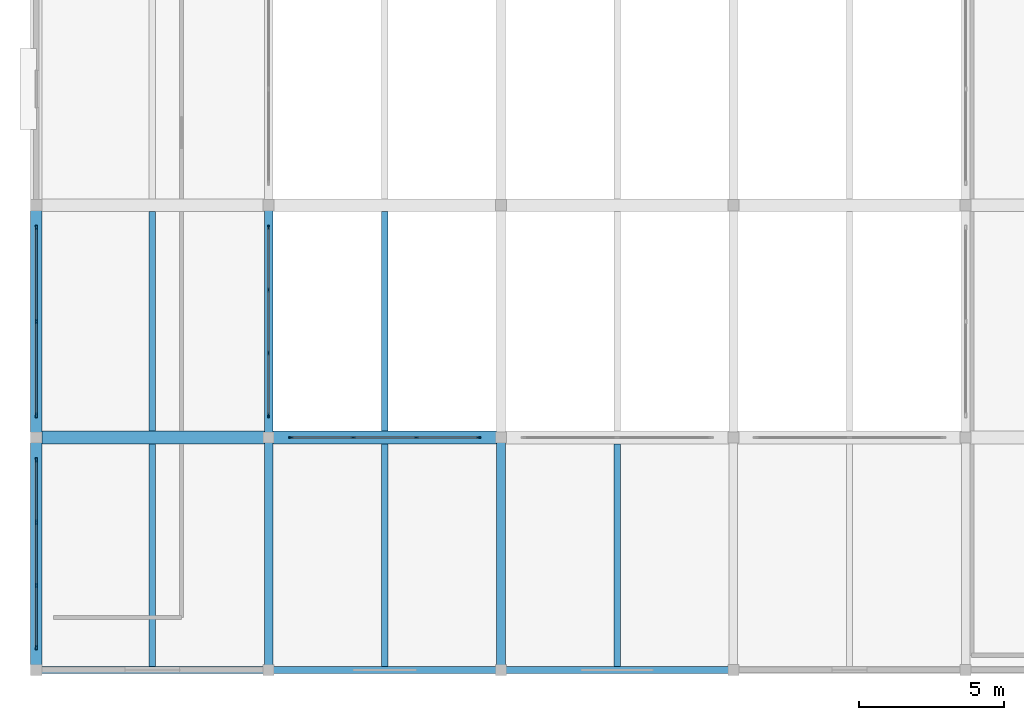
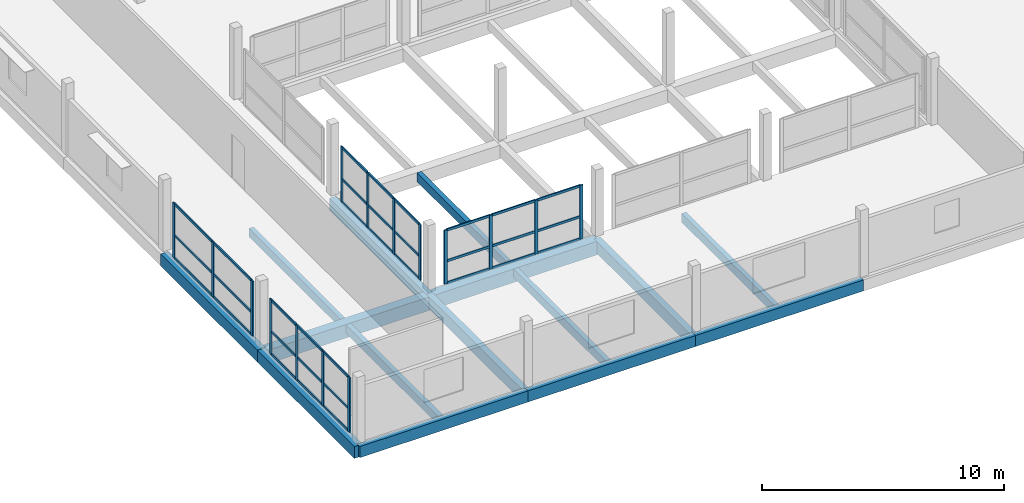
# One storey, part 8 of 34: 48 members, 15 beams, 4 elements without a shape of their own.
"""IFC4 building model written with IfcOpenShell, lengths in metres."""

from ifc_helpers import new_model, si_unit, direction, frame, origin, origin_2d, place, context, subcontext, project, spatial, rectangle, extrude, material, material_profile, profile_set, type_object, element, aggregate, save


model = new_model("IFC4")

# Units and contexts
model_context = context("Model", 3, precision=1e-05, world=origin(), true_north=direction((0.0, 1.0)))
body_context = subcontext(model_context, "Body", "Model", "MODEL_VIEW")
ifc_project = project(units=[si_unit("LENGTHUNIT", "METRE"), si_unit("AREAUNIT", "SQUARE_METRE"), si_unit("VOLUMEUNIT", "CUBIC_METRE"), si_unit("PLANEANGLEUNIT", "RADIAN"), si_unit("MASSUNIT", "GRAM", prefix="KILO")], contexts=[model_context])

# Site, building, storey
site_placement = place(None, origin())
site = spatial("IfcSite", under=ifc_project, at=site_placement, CompositionType="ELEMENT")
building_placement = place(site_placement, origin())
building = spatial("IfcBuilding", under=site, at=building_placement, Name="Vharandega Faculty of Natural Sciences", CompositionType="ELEMENT")
storey_placement = place(building_placement, frame((0.0, 0.0, 21.60009765625)))
storey = spatial("IfcBuildingStorey", under=building, at=storey_placement, Name="L05", CompositionType="ELEMENT", Elevation=21.60009765625)

# Curtain wall, members
ifc_material_1 = material(Name="Aluminium and solar-control glass curtain wall", Category="aluminium")
curtain_wall_type_1 = type_object("IfcCurtainWallType", Name="Unitised Curtain Wall System CW-26", PredefinedType="NOTDEFINED", material=ifc_material_1)
curtain_wall_1_placement = place(storey_placement, origin())
curtain_wall_1 = element("IfcCurtainWall", 1, at=curtain_wall_1_placement, inside=storey, type_object=curtain_wall_type_1, Name="Curtain Wall CW-L05-193", PredefinedType="NOTDEFINED")
ifc_material_2 = material(Name="Thermally broken aluminium 6063-T6", Category="aluminium")
ifc_material_profile_1 = material_profile(ifc_material_2, rectangle(XDim=0.06005859375, YDim=0.159912109375, at=origin_2d()), Name="ALU 60x160")
ifc_profile_set_1 = profile_set([ifc_material_profile_1], Name="Thermally broken aluminium 6063-T6")
member_type_1 = type_object("IfcMemberType", Name="CW Mullion 60x160", PredefinedType="MULLION", material=ifc_profile_set_1)
member_1_placement = place(storey_placement, frame((0.0, 16.77001953125, 0.0), z_axis=(0.0, 0.0, 1.0), x_axis=(-1.0, 0.0, 0.0)))
member_1 = element("IfcMember", 2, at=member_1_placement, type_object=member_type_1, Name="CW-26 mullion 1", PredefinedType="MULLION", context=body_context, shape_type="SweptSolid", body=[
    extrude(rectangle(XDim=0.06005859375, YDim=0.159912109375, at=origin_2d()), origin(), (0.0, 0.0, 1.0), 2.760009765625),
])
member_2_placement = place(storey_placement, frame((0.0, 18.913330078125, 0.0), z_axis=(0.0, 0.0, 1.0), x_axis=(-1.0, 0.0, 0.0)))
member_2 = element("IfcMember", 3, at=member_2_placement, type_object=member_type_1, Name="CW-26 mullion 2", PredefinedType="MULLION", context=body_context, shape_type="SweptSolid", body=[
    extrude(rectangle(XDim=0.06005859375, YDim=0.159912109375, at=origin_2d()), origin(), (0.0, 0.0, 1.0), 2.760009765625),
])
member_3_placement = place(storey_placement, frame((0.0, 21.086669921875, 0.0), z_axis=(0.0, 0.0, 1.0), x_axis=(-1.0, 0.0, 0.0)))
member_3 = element("IfcMember", 4, at=member_3_placement, type_object=member_type_1, Name="CW-26 mullion 3", PredefinedType="MULLION", context=body_context, shape_type="SweptSolid", body=[
    extrude(rectangle(XDim=0.06005859375, YDim=0.159912109375, at=origin_2d()), origin(), (0.0, 0.0, 1.0), 2.760009765625),
])
member_4_placement = place(storey_placement, frame((0.0, 23.22998046875, 0.0), z_axis=(0.0, 0.0, 1.0), x_axis=(-1.0, 0.0, 0.0)))
member_4 = element("IfcMember", 5, at=member_4_placement, type_object=member_type_1, Name="CW-26 mullion 4", PredefinedType="MULLION", context=body_context, shape_type="SweptSolid", body=[
    extrude(rectangle(XDim=0.06005859375, YDim=0.159912109375, at=origin_2d()), origin(), (0.0, 0.0, 1.0), 2.760009765625),
])

ifc_material_3 = material(Name="Aluminium and solar-control glass curtain wall", Category="aluminium")
curtain_wall_type_2 = type_object("IfcCurtainWallType", Name="Unitised Curtain Wall System CW-27", PredefinedType="NOTDEFINED", material=ifc_material_3)
curtain_wall_2_placement = place(storey_placement, origin())
curtain_wall_2 = element("IfcCurtainWall", 6, at=curtain_wall_2_placement, inside=storey, type_object=curtain_wall_type_2, Name="Curtain Wall CW-L05-194", PredefinedType="NOTDEFINED")
member_5_placement = place(storey_placement, frame((0.0, 24.77001953125, 0.0), z_axis=(0.0, 0.0, 1.0), x_axis=(-1.0, 0.0, 0.0)))
member_5 = element("IfcMember", 7, at=member_5_placement, type_object=member_type_1, Name="CW-27 mullion 1", PredefinedType="MULLION", context=body_context, shape_type="SweptSolid", body=[
    extrude(rectangle(XDim=0.06005859375, YDim=0.159912109375, at=origin_2d()), origin(), (0.0, 0.0, 1.0), 2.760009765625),
])
member_6_placement = place(storey_placement, frame((0.0, 28.0, 0.0), z_axis=(0.0, 0.0, 1.0), x_axis=(-1.0, 0.0, 0.0)))
member_6 = element("IfcMember", 8, at=member_6_placement, type_object=member_type_1, Name="CW-27 mullion 2", PredefinedType="MULLION", context=body_context, shape_type="SweptSolid", body=[
    extrude(rectangle(XDim=0.06005859375, YDim=0.159912109375, at=origin_2d()), origin(), (0.0, 0.0, 1.0), 2.760009765625),
])
member_7_placement = place(storey_placement, frame((0.0, 31.22998046875, 0.0), z_axis=(0.0, 0.0, 1.0), x_axis=(-1.0, 0.0, 0.0)))
member_7 = element("IfcMember", 9, at=member_7_placement, type_object=member_type_1, Name="CW-27 mullion 3", PredefinedType="MULLION", context=body_context, shape_type="SweptSolid", body=[
    extrude(rectangle(XDim=0.06005859375, YDim=0.159912109375, at=origin_2d()), origin(), (0.0, 0.0, 1.0), 2.760009765625),
])

ifc_material_4 = material(Name="Aluminium and solar-control glass curtain wall", Category="aluminium")
curtain_wall_type_3 = type_object("IfcCurtainWallType", Name="Unitised Curtain Wall System CW-10", PredefinedType="NOTDEFINED", material=ifc_material_4)
curtain_wall_3_placement = place(storey_placement, origin())
curtain_wall_3 = element("IfcCurtainWall", 10, at=curtain_wall_3_placement, inside=storey, type_object=curtain_wall_type_3, Name="Curtain Wall CW-L05-205", PredefinedType="NOTDEFINED")
member_8_placement = place(storey_placement, frame((8.77001953125, 24.0, 0.0), z_axis=(0.0, 0.0, 1.0), x_axis=(0.0, 1.0, 0.0)))
member_8 = element("IfcMember", 11, at=member_8_placement, type_object=member_type_1, Name="CW-10 mullion 1", PredefinedType="MULLION", context=body_context, shape_type="SweptSolid", body=[
    extrude(rectangle(XDim=0.06005859375, YDim=0.159912109375, at=origin_2d()), origin(), (0.0, 0.0, 1.0), 2.719970703125),
])
member_9_placement = place(storey_placement, frame((10.913330078125, 24.0, 0.0), z_axis=(0.0, 0.0, 1.0), x_axis=(0.0, 1.0, 0.0)))
member_9 = element("IfcMember", 12, at=member_9_placement, type_object=member_type_1, Name="CW-10 mullion 2", PredefinedType="MULLION", context=body_context, shape_type="SweptSolid", body=[
    extrude(rectangle(XDim=0.06005859375, YDim=0.159912109375, at=origin_2d()), origin(), (0.0, 0.0, 1.0), 2.719970703125),
])
member_10_placement = place(storey_placement, frame((13.086669921875, 24.0, 0.0), z_axis=(0.0, 0.0, 1.0), x_axis=(0.0, 1.0, 0.0)))
member_10 = element("IfcMember", 13, at=member_10_placement, type_object=member_type_1, Name="CW-10 mullion 3", PredefinedType="MULLION", context=body_context, shape_type="SweptSolid", body=[
    extrude(rectangle(XDim=0.06005859375, YDim=0.159912109375, at=origin_2d()), origin(), (0.0, 0.0, 1.0), 2.719970703125),
])
member_11_placement = place(storey_placement, frame((15.22998046875, 24.0, 0.0), z_axis=(0.0, 0.0, 1.0), x_axis=(0.0, 1.0, 0.0)))
member_11 = element("IfcMember", 14, at=member_11_placement, type_object=member_type_1, Name="CW-10 mullion 4", PredefinedType="MULLION", context=body_context, shape_type="SweptSolid", body=[
    extrude(rectangle(XDim=0.06005859375, YDim=0.159912109375, at=origin_2d()), origin(), (0.0, 0.0, 1.0), 2.719970703125),
])

ifc_material_5 = material(Name="Aluminium and solar-control glass curtain wall", Category="aluminium")
curtain_wall_type_4 = type_object("IfcCurtainWallType", Name="Unitised Curtain Wall System CW-16", PredefinedType="NOTDEFINED", material=ifc_material_5)
curtain_wall_4_placement = place(storey_placement, origin())
curtain_wall_4 = element("IfcCurtainWall", 15, at=curtain_wall_4_placement, inside=storey, type_object=curtain_wall_type_4, Name="Curtain Wall CW-L05-211", PredefinedType="NOTDEFINED")
member_12_placement = place(storey_placement, frame((8.0, 24.77001953125, 0.0), z_axis=(0.0, 0.0, 1.0), x_axis=(-1.0, 0.0, 0.0)))
member_12 = element("IfcMember", 16, at=member_12_placement, type_object=member_type_1, Name="CW-16 mullion 1", PredefinedType="MULLION", context=body_context, shape_type="SweptSolid", body=[
    extrude(rectangle(XDim=0.06005859375, YDim=0.159912109375, at=origin_2d()), origin(), (0.0, 0.0, 1.0), 2.7998046875),
])
member_13_placement = place(storey_placement, frame((8.0, 26.913330078125, 0.0), z_axis=(0.0, 0.0, 1.0), x_axis=(-1.0, 0.0, 0.0)))
member_13 = element("IfcMember", 17, at=member_13_placement, type_object=member_type_1, Name="CW-16 mullion 2", PredefinedType="MULLION", context=body_context, shape_type="SweptSolid", body=[
    extrude(rectangle(XDim=0.06005859375, YDim=0.159912109375, at=origin_2d()), origin(), (0.0, 0.0, 1.0), 2.7998046875),
])
member_14_placement = place(storey_placement, frame((8.0, 29.086669921875, 0.0), z_axis=(0.0, 0.0, 1.0), x_axis=(-1.0, 0.0, 0.0)))
member_14 = element("IfcMember", 18, at=member_14_placement, type_object=member_type_1, Name="CW-16 mullion 3", PredefinedType="MULLION", context=body_context, shape_type="SweptSolid", body=[
    extrude(rectangle(XDim=0.06005859375, YDim=0.159912109375, at=origin_2d()), origin(), (0.0, 0.0, 1.0), 2.7998046875),
])
member_15_placement = place(storey_placement, frame((8.0, 31.22998046875, 0.0), z_axis=(0.0, 0.0, 1.0), x_axis=(-1.0, 0.0, 0.0)))
member_15 = element("IfcMember", 19, at=member_15_placement, type_object=member_type_1, Name="CW-16 mullion 4", PredefinedType="MULLION", context=body_context, shape_type="SweptSolid", body=[
    extrude(rectangle(XDim=0.06005859375, YDim=0.159912109375, at=origin_2d()), origin(), (0.0, 0.0, 1.0), 2.7998046875),
])

# Member
ifc_material_6 = material(Name="Thermally broken aluminium 6063-T6", Category="aluminium")
ifc_material_profile_2 = material_profile(ifc_material_6, rectangle(XDim=0.06005859375, YDim=0.1201171875, at=origin_2d()), Name="ALU 60x120")
ifc_profile_set_2 = profile_set([ifc_material_profile_2], Name="Thermally broken aluminium 6063-T6")
member_type_2 = type_object("IfcMemberType", Name="CW Transom 60x120", PredefinedType="USERDEFINED", material=ifc_profile_set_2)
member_16_placement = place(storey_placement, frame((0.0, 16.800048828125, 0.02978515625), z_axis=(0.0, 1.0, 0.0), x_axis=(-1.0, 0.0, 0.0)))
member_16 = element("IfcMember", 20, at=member_16_placement, type_object=member_type_2, Name="CW-26 transom 1.1", ObjectType="TRANSOM", PredefinedType="USERDEFINED", context=body_context, shape_type="SweptSolid", body=[
    extrude(rectangle(XDim=0.06005859375, YDim=0.1201171875, at=origin_2d()), origin(), (0.0, 0.0, 1.0), 2.083251953125),
])

member_17_placement = place(storey_placement, frame((0.0, 16.800048828125, 1.1591796875), z_axis=(0.0, 1.0, 0.0), x_axis=(-1.0, 0.0, 0.0)))
member_17 = element("IfcMember", 21, at=member_17_placement, type_object=member_type_2, Name="CW-26 transom 1.2", ObjectType="TRANSOM", PredefinedType="USERDEFINED", context=body_context, shape_type="SweptSolid", body=[
    extrude(rectangle(XDim=0.06005859375, YDim=0.1201171875, at=origin_2d()), origin(), (0.0, 0.0, 1.0), 2.083251953125),
])

member_18_placement = place(storey_placement, frame((0.0, 16.800048828125, 2.72998046875), z_axis=(0.0, 1.0, 0.0), x_axis=(-1.0, 0.0, 0.0)))
member_18 = element("IfcMember", 22, at=member_18_placement, type_object=member_type_2, Name="CW-26 transom 1.3", ObjectType="TRANSOM", PredefinedType="USERDEFINED", context=body_context, shape_type="SweptSolid", body=[
    extrude(rectangle(XDim=0.06005859375, YDim=0.1201171875, at=origin_2d()), origin(), (0.0, 0.0, 1.0), 2.083251953125),
])

member_19_placement = place(storey_placement, frame((0.0, 18.943359375, 0.02978515625), z_axis=(0.0, 1.0, 0.0), x_axis=(-1.0, 0.0, 0.0)))
member_19 = element("IfcMember", 23, at=member_19_placement, type_object=member_type_2, Name="CW-26 transom 2.1", ObjectType="TRANSOM", PredefinedType="USERDEFINED", context=body_context, shape_type="SweptSolid", body=[
    extrude(rectangle(XDim=0.06005859375, YDim=0.1201171875, at=origin_2d()), origin(), (0.0, 0.0, 1.0), 2.11328125),
])

member_20_placement = place(storey_placement, frame((0.0, 18.943359375, 1.1591796875), z_axis=(0.0, 1.0, 0.0), x_axis=(-1.0, 0.0, 0.0)))
member_20 = element("IfcMember", 24, at=member_20_placement, type_object=member_type_2, Name="CW-26 transom 2.2", ObjectType="TRANSOM", PredefinedType="USERDEFINED", context=body_context, shape_type="SweptSolid", body=[
    extrude(rectangle(XDim=0.06005859375, YDim=0.1201171875, at=origin_2d()), origin(), (0.0, 0.0, 1.0), 2.11328125),
])

member_21_placement = place(storey_placement, frame((0.0, 18.943359375, 2.72998046875), z_axis=(0.0, 1.0, 0.0), x_axis=(-1.0, 0.0, 0.0)))
member_21 = element("IfcMember", 25, at=member_21_placement, type_object=member_type_2, Name="CW-26 transom 2.3", ObjectType="TRANSOM", PredefinedType="USERDEFINED", context=body_context, shape_type="SweptSolid", body=[
    extrude(rectangle(XDim=0.06005859375, YDim=0.1201171875, at=origin_2d()), origin(), (0.0, 0.0, 1.0), 2.11328125),
])

member_22_placement = place(storey_placement, frame((0.0, 21.11669921875, 0.02978515625), z_axis=(0.0, 1.0, 0.0), x_axis=(-1.0, 0.0, 0.0)))
member_22 = element("IfcMember", 26, at=member_22_placement, type_object=member_type_2, Name="CW-26 transom 3.1", ObjectType="TRANSOM", PredefinedType="USERDEFINED", context=body_context, shape_type="SweptSolid", body=[
    extrude(rectangle(XDim=0.06005859375, YDim=0.1201171875, at=origin_2d()), origin(), (0.0, 0.0, 1.0), 2.083251953125),
])

member_23_placement = place(storey_placement, frame((0.0, 21.11669921875, 1.1591796875), z_axis=(0.0, 1.0, 0.0), x_axis=(-1.0, 0.0, 0.0)))
member_23 = element("IfcMember", 27, at=member_23_placement, type_object=member_type_2, Name="CW-26 transom 3.2", ObjectType="TRANSOM", PredefinedType="USERDEFINED", context=body_context, shape_type="SweptSolid", body=[
    extrude(rectangle(XDim=0.06005859375, YDim=0.1201171875, at=origin_2d()), origin(), (0.0, 0.0, 1.0), 2.083251953125),
])

member_24_placement = place(storey_placement, frame((0.0, 21.11669921875, 2.72998046875), z_axis=(0.0, 1.0, 0.0), x_axis=(-1.0, 0.0, 0.0)))
member_24 = element("IfcMember", 28, at=member_24_placement, type_object=member_type_2, Name="CW-26 transom 3.3", ObjectType="TRANSOM", PredefinedType="USERDEFINED", context=body_context, shape_type="SweptSolid", body=[
    extrude(rectangle(XDim=0.06005859375, YDim=0.1201171875, at=origin_2d()), origin(), (0.0, 0.0, 1.0), 2.083251953125),
])

aggregate(curtain_wall_1, [member_1, member_2, member_3, member_4, member_16, member_17, member_18, member_19, member_20, member_21, member_22, member_23, member_24])

member_25_placement = place(storey_placement, frame((0.0, 24.800048828125, 0.02978515625), z_axis=(0.0, 1.0, 0.0), x_axis=(-1.0, 0.0, 0.0)))
member_25 = element("IfcMember", 29, at=member_25_placement, type_object=member_type_2, Name="CW-27 transom 1.1", ObjectType="TRANSOM", PredefinedType="USERDEFINED", context=body_context, shape_type="SweptSolid", body=[
    extrude(rectangle(XDim=0.06005859375, YDim=0.1201171875, at=origin_2d()), origin(), (0.0, 0.0, 1.0), 3.169921875),
])

member_26_placement = place(storey_placement, frame((0.0, 24.800048828125, 1.1591796875), z_axis=(0.0, 1.0, 0.0), x_axis=(-1.0, 0.0, 0.0)))
member_26 = element("IfcMember", 30, at=member_26_placement, type_object=member_type_2, Name="CW-27 transom 1.2", ObjectType="TRANSOM", PredefinedType="USERDEFINED", context=body_context, shape_type="SweptSolid", body=[
    extrude(rectangle(XDim=0.06005859375, YDim=0.1201171875, at=origin_2d()), origin(), (0.0, 0.0, 1.0), 3.169921875),
])

member_27_placement = place(storey_placement, frame((0.0, 24.800048828125, 2.72998046875), z_axis=(0.0, 1.0, 0.0), x_axis=(-1.0, 0.0, 0.0)))
member_27 = element("IfcMember", 31, at=member_27_placement, type_object=member_type_2, Name="CW-27 transom 1.3", ObjectType="TRANSOM", PredefinedType="USERDEFINED", context=body_context, shape_type="SweptSolid", body=[
    extrude(rectangle(XDim=0.06005859375, YDim=0.1201171875, at=origin_2d()), origin(), (0.0, 0.0, 1.0), 3.169921875),
])

member_28_placement = place(storey_placement, frame((0.0, 28.030029296875, 0.02978515625), z_axis=(0.0, 1.0, 0.0), x_axis=(-1.0, 0.0, 0.0)))
member_28 = element("IfcMember", 32, at=member_28_placement, type_object=member_type_2, Name="CW-27 transom 2.1", ObjectType="TRANSOM", PredefinedType="USERDEFINED", context=body_context, shape_type="SweptSolid", body=[
    extrude(rectangle(XDim=0.06005859375, YDim=0.1201171875, at=origin_2d()), origin(), (0.0, 0.0, 1.0), 3.169921875),
])

member_29_placement = place(storey_placement, frame((0.0, 28.030029296875, 1.1591796875), z_axis=(0.0, 1.0, 0.0), x_axis=(-1.0, 0.0, 0.0)))
member_29 = element("IfcMember", 33, at=member_29_placement, type_object=member_type_2, Name="CW-27 transom 2.2", ObjectType="TRANSOM", PredefinedType="USERDEFINED", context=body_context, shape_type="SweptSolid", body=[
    extrude(rectangle(XDim=0.06005859375, YDim=0.1201171875, at=origin_2d()), origin(), (0.0, 0.0, 1.0), 3.169921875),
])

member_30_placement = place(storey_placement, frame((0.0, 28.030029296875, 2.72998046875), z_axis=(0.0, 1.0, 0.0), x_axis=(-1.0, 0.0, 0.0)))
member_30 = element("IfcMember", 34, at=member_30_placement, type_object=member_type_2, Name="CW-27 transom 2.3", ObjectType="TRANSOM", PredefinedType="USERDEFINED", context=body_context, shape_type="SweptSolid", body=[
    extrude(rectangle(XDim=0.06005859375, YDim=0.1201171875, at=origin_2d()), origin(), (0.0, 0.0, 1.0), 3.169921875),
])

aggregate(curtain_wall_2, [member_5, member_6, member_7, member_25, member_26, member_27, member_28, member_29, member_30])

member_31_placement = place(storey_placement, frame((8.800048828125, 24.0, 0.02978515625), z_axis=(1.0, 0.0, 0.0), x_axis=(0.0, 1.0, 0.0)))
member_31 = element("IfcMember", 35, at=member_31_placement, type_object=member_type_2, Name="CW-10 transom 1.1", ObjectType="TRANSOM", PredefinedType="USERDEFINED", context=body_context, shape_type="SweptSolid", body=[
    extrude(rectangle(XDim=0.06005859375, YDim=0.1201171875, at=origin_2d()), origin(), (0.0, 0.0, 1.0), 2.083251953125),
])

member_32_placement = place(storey_placement, frame((8.800048828125, 24.0, 1.142333984375), z_axis=(1.0, 0.0, 0.0), x_axis=(0.0, 1.0, 0.0)))
member_32 = element("IfcMember", 36, at=member_32_placement, type_object=member_type_2, Name="CW-10 transom 1.2", ObjectType="TRANSOM", PredefinedType="USERDEFINED", context=body_context, shape_type="SweptSolid", body=[
    extrude(rectangle(XDim=0.06005859375, YDim=0.1201171875, at=origin_2d()), origin(), (0.0, 0.0, 1.0), 2.083251953125),
])

member_33_placement = place(storey_placement, frame((8.800048828125, 24.0, 2.68994140625), z_axis=(1.0, 0.0, 0.0), x_axis=(0.0, 1.0, 0.0)))
member_33 = element("IfcMember", 37, at=member_33_placement, type_object=member_type_2, Name="CW-10 transom 1.3", ObjectType="TRANSOM", PredefinedType="USERDEFINED", context=body_context, shape_type="SweptSolid", body=[
    extrude(rectangle(XDim=0.06005859375, YDim=0.1201171875, at=origin_2d()), origin(), (0.0, 0.0, 1.0), 2.083251953125),
])

member_34_placement = place(storey_placement, frame((10.943359375, 24.0, 0.02978515625), z_axis=(1.0, 0.0, 0.0), x_axis=(0.0, 1.0, 0.0)))
member_34 = element("IfcMember", 38, at=member_34_placement, type_object=member_type_2, Name="CW-10 transom 2.1", ObjectType="TRANSOM", PredefinedType="USERDEFINED", context=body_context, shape_type="SweptSolid", body=[
    extrude(rectangle(XDim=0.06005859375, YDim=0.1201171875, at=origin_2d()), origin(), (0.0, 0.0, 1.0), 2.11328125),
])

member_35_placement = place(storey_placement, frame((10.943359375, 24.0, 1.142333984375), z_axis=(1.0, 0.0, 0.0), x_axis=(0.0, 1.0, 0.0)))
member_35 = element("IfcMember", 39, at=member_35_placement, type_object=member_type_2, Name="CW-10 transom 2.2", ObjectType="TRANSOM", PredefinedType="USERDEFINED", context=body_context, shape_type="SweptSolid", body=[
    extrude(rectangle(XDim=0.06005859375, YDim=0.1201171875, at=origin_2d()), origin(), (0.0, 0.0, 1.0), 2.11328125),
])

member_36_placement = place(storey_placement, frame((10.943359375, 24.0, 2.68994140625), z_axis=(1.0, 0.0, 0.0), x_axis=(0.0, 1.0, 0.0)))
member_36 = element("IfcMember", 40, at=member_36_placement, type_object=member_type_2, Name="CW-10 transom 2.3", ObjectType="TRANSOM", PredefinedType="USERDEFINED", context=body_context, shape_type="SweptSolid", body=[
    extrude(rectangle(XDim=0.06005859375, YDim=0.1201171875, at=origin_2d()), origin(), (0.0, 0.0, 1.0), 2.11328125),
])

member_37_placement = place(storey_placement, frame((13.11669921875, 24.0, 0.02978515625), z_axis=(1.0, 0.0, 0.0), x_axis=(0.0, 1.0, 0.0)))
member_37 = element("IfcMember", 41, at=member_37_placement, type_object=member_type_2, Name="CW-10 transom 3.1", ObjectType="TRANSOM", PredefinedType="USERDEFINED", context=body_context, shape_type="SweptSolid", body=[
    extrude(rectangle(XDim=0.06005859375, YDim=0.1201171875, at=origin_2d()), origin(), (0.0, 0.0, 1.0), 2.083251953125),
])

member_38_placement = place(storey_placement, frame((13.11669921875, 24.0, 1.142333984375), z_axis=(1.0, 0.0, 0.0), x_axis=(0.0, 1.0, 0.0)))
member_38 = element("IfcMember", 42, at=member_38_placement, type_object=member_type_2, Name="CW-10 transom 3.2", ObjectType="TRANSOM", PredefinedType="USERDEFINED", context=body_context, shape_type="SweptSolid", body=[
    extrude(rectangle(XDim=0.06005859375, YDim=0.1201171875, at=origin_2d()), origin(), (0.0, 0.0, 1.0), 2.083251953125),
])

member_39_placement = place(storey_placement, frame((13.11669921875, 24.0, 2.68994140625), z_axis=(1.0, 0.0, 0.0), x_axis=(0.0, 1.0, 0.0)))
member_39 = element("IfcMember", 43, at=member_39_placement, type_object=member_type_2, Name="CW-10 transom 3.3", ObjectType="TRANSOM", PredefinedType="USERDEFINED", context=body_context, shape_type="SweptSolid", body=[
    extrude(rectangle(XDim=0.06005859375, YDim=0.1201171875, at=origin_2d()), origin(), (0.0, 0.0, 1.0), 2.083251953125),
])

aggregate(curtain_wall_3, [member_8, member_9, member_10, member_11, member_31, member_32, member_33, member_34, member_35, member_36, member_37, member_38, member_39])

member_40_placement = place(storey_placement, frame((8.0, 24.800048828125, 0.02978515625), z_axis=(0.0, 1.0, 0.0), x_axis=(-1.0, 0.0, 0.0)))
member_40 = element("IfcMember", 44, at=member_40_placement, type_object=member_type_2, Name="CW-16 transom 1.1", ObjectType="TRANSOM", PredefinedType="USERDEFINED", context=body_context, shape_type="SweptSolid", body=[
    extrude(rectangle(XDim=0.06005859375, YDim=0.1201171875, at=origin_2d()), origin(), (0.0, 0.0, 1.0), 2.083251953125),
])

member_41_placement = place(storey_placement, frame((8.0, 24.800048828125, 1.17578125), z_axis=(0.0, 1.0, 0.0), x_axis=(-1.0, 0.0, 0.0)))
member_41 = element("IfcMember", 45, at=member_41_placement, type_object=member_type_2, Name="CW-16 transom 1.2", ObjectType="TRANSOM", PredefinedType="USERDEFINED", context=body_context, shape_type="SweptSolid", body=[
    extrude(rectangle(XDim=0.06005859375, YDim=0.1201171875, at=origin_2d()), origin(), (0.0, 0.0, 1.0), 2.083251953125),
])

member_42_placement = place(storey_placement, frame((8.0, 24.800048828125, 2.77001953125), z_axis=(0.0, 1.0, 0.0), x_axis=(-1.0, 0.0, 0.0)))
member_42 = element("IfcMember", 46, at=member_42_placement, type_object=member_type_2, Name="CW-16 transom 1.3", ObjectType="TRANSOM", PredefinedType="USERDEFINED", context=body_context, shape_type="SweptSolid", body=[
    extrude(rectangle(XDim=0.06005859375, YDim=0.1201171875, at=origin_2d()), origin(), (0.0, 0.0, 1.0), 2.083251953125),
])

member_43_placement = place(storey_placement, frame((8.0, 26.943359375, 0.02978515625), z_axis=(0.0, 1.0, 0.0), x_axis=(-1.0, 0.0, 0.0)))
member_43 = element("IfcMember", 47, at=member_43_placement, type_object=member_type_2, Name="CW-16 transom 2.1", ObjectType="TRANSOM", PredefinedType="USERDEFINED", context=body_context, shape_type="SweptSolid", body=[
    extrude(rectangle(XDim=0.06005859375, YDim=0.1201171875, at=origin_2d()), origin(), (0.0, 0.0, 1.0), 2.11328125),
])

member_44_placement = place(storey_placement, frame((8.0, 26.943359375, 1.17578125), z_axis=(0.0, 1.0, 0.0), x_axis=(-1.0, 0.0, 0.0)))
member_44 = element("IfcMember", 48, at=member_44_placement, type_object=member_type_2, Name="CW-16 transom 2.2", ObjectType="TRANSOM", PredefinedType="USERDEFINED", context=body_context, shape_type="SweptSolid", body=[
    extrude(rectangle(XDim=0.06005859375, YDim=0.1201171875, at=origin_2d()), origin(), (0.0, 0.0, 1.0), 2.11328125),
])

member_45_placement = place(storey_placement, frame((8.0, 26.943359375, 2.77001953125), z_axis=(0.0, 1.0, 0.0), x_axis=(-1.0, 0.0, 0.0)))
member_45 = element("IfcMember", 49, at=member_45_placement, type_object=member_type_2, Name="CW-16 transom 2.3", ObjectType="TRANSOM", PredefinedType="USERDEFINED", context=body_context, shape_type="SweptSolid", body=[
    extrude(rectangle(XDim=0.06005859375, YDim=0.1201171875, at=origin_2d()), origin(), (0.0, 0.0, 1.0), 2.11328125),
])

member_46_placement = place(storey_placement, frame((8.0, 29.11669921875, 0.02978515625), z_axis=(0.0, 1.0, 0.0), x_axis=(-1.0, 0.0, 0.0)))
member_46 = element("IfcMember", 50, at=member_46_placement, type_object=member_type_2, Name="CW-16 transom 3.1", ObjectType="TRANSOM", PredefinedType="USERDEFINED", context=body_context, shape_type="SweptSolid", body=[
    extrude(rectangle(XDim=0.06005859375, YDim=0.1201171875, at=origin_2d()), origin(), (0.0, 0.0, 1.0), 2.083251953125),
])

member_47_placement = place(storey_placement, frame((8.0, 29.11669921875, 1.17578125), z_axis=(0.0, 1.0, 0.0), x_axis=(-1.0, 0.0, 0.0)))
member_47 = element("IfcMember", 51, at=member_47_placement, type_object=member_type_2, Name="CW-16 transom 3.2", ObjectType="TRANSOM", PredefinedType="USERDEFINED", context=body_context, shape_type="SweptSolid", body=[
    extrude(rectangle(XDim=0.06005859375, YDim=0.1201171875, at=origin_2d()), origin(), (0.0, 0.0, 1.0), 2.083251953125),
])

member_48_placement = place(storey_placement, frame((8.0, 29.11669921875, 2.77001953125), z_axis=(0.0, 1.0, 0.0), x_axis=(-1.0, 0.0, 0.0)))
member_48 = element("IfcMember", 52, at=member_48_placement, type_object=member_type_2, Name="CW-16 transom 3.3", ObjectType="TRANSOM", PredefinedType="USERDEFINED", context=body_context, shape_type="SweptSolid", body=[
    extrude(rectangle(XDim=0.06005859375, YDim=0.1201171875, at=origin_2d()), origin(), (0.0, 0.0, 1.0), 2.083251953125),
])

aggregate(curtain_wall_4, [member_12, member_13, member_14, member_15, member_40, member_41, member_42, member_43, member_44, member_45, member_46, member_47, member_48])

# Beams
ifc_material_7 = material(Name="Glulam GL28h", Category="wood")
ifc_material_profile_3 = material_profile(ifc_material_7, rectangle(XDim=0.300048828125, YDim=0.60009765625, at=origin_2d()), Name="GL28h 300x600")
ifc_profile_set_3 = profile_set([ifc_material_profile_3], Name="Glulam GL28h")
beam_type_1 = type_object("IfcBeamType", Name="Glulam Floor Beam 300x600", PredefinedType="BEAM", material=ifc_profile_set_3)
for number, where, z_axis, x_axis, name in (
    (53, (8.0, 16.0, -0.52001953125), (0.0, 1.0, 0.0), (-1.0, 0.0, 0.0), "Beam L05 2/C-D"),
    (54, (8.0, 24.0, -0.52001953125), (0.0, 1.0, 0.0), (-1.0, 0.0, 0.0), "Beam L05 2/D-E"),
    (55, (16.0, 16.0, -0.52001953125), (0.0, 1.0, 0.0), (-1.0, 0.0, 0.0), "Beam L05 3/C-D"),
):
    element("IfcBeam", number, at=place(storey_placement, frame(where, z_axis=z_axis, x_axis=x_axis)), inside=storey, type_object=beam_type_1, Name=name, PredefinedType="BEAM", context=body_context, shape_type="SweptSolid", body=[
        extrude(rectangle(XDim=0.300048828125, YDim=0.60009765625, at=origin_2d()), origin(), (0.0, 0.0, 1.0), 8.0),
    ])
ifc_material_8 = material(Name="Glulam GL32h", Category="wood")
ifc_material_profile_4 = material_profile(ifc_material_8, rectangle(XDim=0.43994140625, YDim=0.679931640625, at=origin_2d()), Name="GL32h 440x680")
ifc_profile_set_4 = profile_set([ifc_material_profile_4], Name="Glulam GL32h")
beam_type_2 = type_object("IfcBeamType", Name="Glulam Girder 440x680", PredefinedType="BEAM", material=ifc_profile_set_4)
for number, where, z_axis, x_axis, name in (
    (56, (0.0, 24.0, -0.56005859375), (1.0, 0.0, 0.0), (0.0, 1.0, 0.0), "Beam L05 D/1-2"),
    (57, (8.0, 24.0, -0.56005859375), (1.0, 0.0, 0.0), (0.0, 1.0, 0.0), "Beam L05 D/2-3"),
):
    element("IfcBeam", number, at=place(storey_placement, frame(where, z_axis=z_axis, x_axis=x_axis)), inside=storey, type_object=beam_type_2, Name=name, PredefinedType="BEAM", context=body_context, shape_type="SweptSolid", body=[
        extrude(rectangle(XDim=0.43994140625, YDim=0.679931640625, at=origin_2d()), origin(), (0.0, 0.0, 1.0), 8.0),
    ])
ifc_material_9 = material(Name="Glulam GL28h", Category="wood")
ifc_material_profile_5 = material_profile(ifc_material_9, rectangle(XDim=0.219970703125, YDim=0.43994140625, at=origin_2d()), Name="GL28h 220x440")
ifc_profile_set_5 = profile_set([ifc_material_profile_5], Name="Glulam GL28h")
beam_type_3 = type_object("IfcBeamType", Name="Glulam Secondary Joist 220x440", PredefinedType="JOIST", material=ifc_profile_set_5)
beam_1_placement = place(storey_placement, frame((4.0, 16.1201171875, -0.440185546875), z_axis=(0.0, 1.0, 0.0), x_axis=(-1.0, 0.0, 0.0)))
element("IfcBeam", 58, at=beam_1_placement, inside=storey, type_object=beam_type_3, Name="Secondary Joist L05 1-2/C-D", PredefinedType="JOIST", context=body_context, shape_type="SweptSolid", body=[
    extrude(rectangle(XDim=0.219970703125, YDim=0.43994140625, at=origin_2d()), origin(), (0.0, 0.0, 1.0), 7.659912109375),
])
beam_2_placement = place(storey_placement, frame((4.0, 24.219970703125, -0.440185546875), z_axis=(0.0, 1.0, 0.0), x_axis=(-1.0, 0.0, 0.0)))
element("IfcBeam", 59, at=beam_2_placement, inside=storey, type_object=beam_type_3, Name="Secondary Joist L05 1-2/D-E", PredefinedType="JOIST", context=body_context, shape_type="SweptSolid", body=[
    extrude(rectangle(XDim=0.219970703125, YDim=0.43994140625, at=origin_2d()), origin(), (0.0, 0.0, 1.0), 7.56005859375),
])
beam_3_placement = place(storey_placement, frame((12.0, 16.1201171875, -0.440185546875), z_axis=(0.0, 1.0, 0.0), x_axis=(-1.0, 0.0, 0.0)))
element("IfcBeam", 60, at=beam_3_placement, inside=storey, type_object=beam_type_3, Name="Secondary Joist L05 2-3/C-D", PredefinedType="JOIST", context=body_context, shape_type="SweptSolid", body=[
    extrude(rectangle(XDim=0.219970703125, YDim=0.43994140625, at=origin_2d()), origin(), (0.0, 0.0, 1.0), 7.659912109375),
])
beam_4_placement = place(storey_placement, frame((12.0, 24.219970703125, -0.440185546875), z_axis=(0.0, 1.0, 0.0), x_axis=(-1.0, 0.0, 0.0)))
element("IfcBeam", 61, at=beam_4_placement, inside=storey, type_object=beam_type_3, Name="Secondary Joist L05 2-3/D-E", PredefinedType="JOIST", context=body_context, shape_type="SweptSolid", body=[
    extrude(rectangle(XDim=0.219970703125, YDim=0.43994140625, at=origin_2d()), origin(), (0.0, 0.0, 1.0), 7.56005859375),
])
beam_5_placement = place(storey_placement, frame((20.0, 16.1201171875, -0.440185546875), z_axis=(0.0, 1.0, 0.0), x_axis=(-1.0, 0.0, 0.0)))
element("IfcBeam", 62, at=beam_5_placement, inside=storey, type_object=beam_type_3, Name="Secondary Joist L05 3-4/C-D", PredefinedType="JOIST", context=body_context, shape_type="SweptSolid", body=[
    extrude(rectangle(XDim=0.219970703125, YDim=0.43994140625, at=origin_2d()), origin(), (0.0, 0.0, 1.0), 7.659912109375),
])
ifc_material_10 = material(Name="Glulam GL28h", Category="wood")
ifc_material_profile_6 = material_profile(ifc_material_10, rectangle(XDim=0.239990234375, YDim=0.56005859375, at=origin_2d()), Name="GL28h 240x560")
ifc_profile_set_6 = profile_set([ifc_material_profile_6], Name="Glulam GL28h")
beam_type_4 = type_object("IfcBeamType", Name="Glulam Spandrel Edge Beam 240x560", PredefinedType="SPANDREL", material=ifc_profile_set_6)
for number, where, z_axis, x_axis, name in (
    (63, (0.0, 16.0, -0.5), (1.0, 0.0, 0.0), (0.0, 1.0, 0.0), "Beam L05 C/1-2"),
    (64, (8.0, 16.0, -0.5), (1.0, 0.0, 0.0), (0.0, 1.0, 0.0), "Beam L05 C/2-3"),
    (65, (16.0, 16.0, -0.5), (1.0, 0.0, 0.0), (0.0, 1.0, 0.0), "Beam L05 C/3-4"),
):
    element("IfcBeam", number, at=place(storey_placement, frame(where, z_axis=z_axis, x_axis=x_axis)), inside=storey, type_object=beam_type_4, Name=name, PredefinedType="SPANDREL", context=body_context, shape_type="SweptSolid", body=[
        extrude(rectangle(XDim=0.239990234375, YDim=0.56005859375, at=origin_2d()), origin(), (0.0, 0.0, 1.0), 8.0),
    ])
ifc_material_11 = material(Name="Glulam GL32h", Category="wood")
ifc_material_profile_7 = material_profile(ifc_material_11, rectangle(XDim=0.39990234375, YDim=0.60009765625, at=origin_2d()), Name="GL32h 400x600")
ifc_profile_set_7 = profile_set([ifc_material_profile_7], Name="Glulam GL32h")
beam_type_5 = type_object("IfcBeamType", Name="Glulam Spine Girder 400x600", PredefinedType="BEAM", material=ifc_profile_set_7)
for number, where, z_axis, x_axis, name in (
    (66, (0.0, 16.0, -0.52001953125), (0.0, 1.0, 0.0), (-1.0, 0.0, 0.0), "Beam L05 1/C-D"),
    (67, (0.0, 24.0, -0.52001953125), (0.0, 1.0, 0.0), (-1.0, 0.0, 0.0), "Beam L05 1/D-E"),
):
    element("IfcBeam", number, at=place(storey_placement, frame(where, z_axis=z_axis, x_axis=x_axis)), inside=storey, type_object=beam_type_5, Name=name, PredefinedType="BEAM", context=body_context, shape_type="SweptSolid", body=[
        extrude(rectangle(XDim=0.39990234375, YDim=0.60009765625, at=origin_2d()), origin(), (0.0, 0.0, 1.0), 8.0),
    ])

save(model, "model.ifc")
